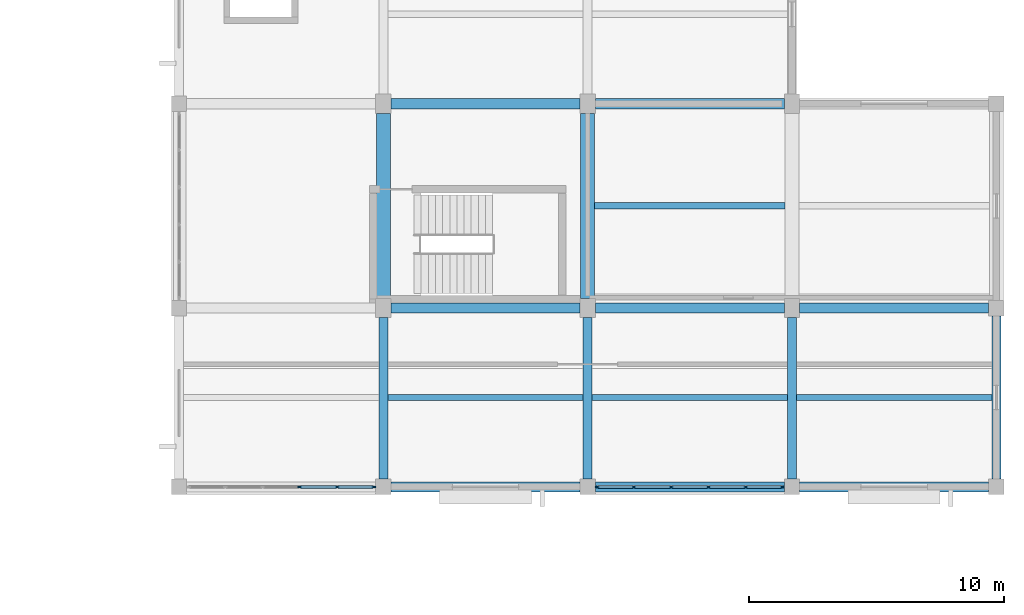
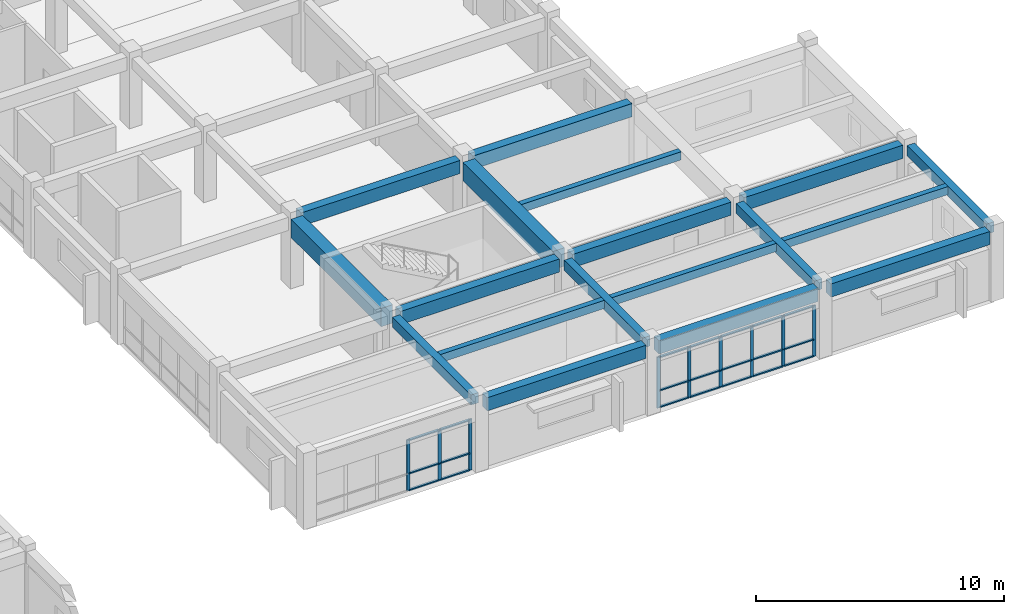
# One storey, part 15 of 33: 30 members, 18 beams, 2 elements without a shape of their own.
"""IFC4 building model written with IfcOpenShell, lengths in metres."""

import ifcopenshell
import ifcopenshell.guid

model = None  # the IFC model being written
_history = None  # IfcOwnerHistory: only IFC2X3 demands one
_inside = {}  # id of a spatial element -> (the spatial element, [elements in it])
_under = {}  # id of a project, library or spatial element -> (it, [spatial elements below it])
_declared = {}  # id of a project -> (the project, [libraries it declares])
_typed = {}  # id of a type object -> (the type object, [elements of that type])
_made_of = {}  # id of a material, layer set ... -> (it, [elements and type objects made of it])


def new_model(schema):
    """Start an empty IFC model of exactly this schema.

    Asked for "IFC4X3", IfcOpenShell would pick the latest addendum, in which some entities
    have other attributes; the version numbers below select the first issue.
    IFC2X3 requires an IfcOwnerHistory on every rooted entity: one is made here for all.
    """
    global model, _history
    if schema == "IFC4X3":
        model = ifcopenshell.file(schema_version=(4, 3, 0, 0))
    else:
        model = ifcopenshell.file(schema=schema)
    _inside.clear()
    _under.clear()
    _declared.clear()
    _typed.clear()
    _made_of.clear()
    _history = None
    if model.schema == "IFC2X3":
        org = make("IfcOrganization", Name="unknown")
        user = make(
            "IfcPersonAndOrganization",
            ThePerson=make("IfcPerson", FamilyName="unknown"),
            TheOrganization=org,
        )
        app = make(
            "IfcApplication",
            ApplicationDeveloper=org,
            Version="unknown",
            ApplicationFullName="unknown",
            ApplicationIdentifier="unknown",
        )
        _history = make(
            "IfcOwnerHistory",
            OwningUser=user,
            OwningApplication=app,
            ChangeAction="ADDED",
            CreationDate=0,
        )
    return model


def make(cls, **values):
    """One entity of the class cls with the attributes given. An attribute that is None is left unset."""
    return model.create_entity(
        cls, **{name: value for name, value in values.items() if value is not None}
    )


def rooted(cls, **values):
    """An entity with a GlobalId (a new one), such as an element, a storey or a relation."""
    return make(cls, GlobalId=ifcopenshell.guid.new(), OwnerHistory=_history, **values)


def si_unit(unit_type, name, prefix=None):
    """IfcSIUnit, for example si_unit("LENGTHUNIT", "METRE", prefix="MILLI")."""
    return make("IfcSIUnit", UnitType=unit_type, Prefix=prefix, Name=name)


def assignment(units):
    """IfcUnitAssignment: the units of a project."""
    return None if units is None else make("IfcUnitAssignment", Units=units)


def point(xyz):
    """IfcCartesianPoint."""
    return None if xyz is None else make("IfcCartesianPoint", Coordinates=xyz)


def direction(xyz):
    """IfcDirection."""
    return None if xyz is None else make("IfcDirection", DirectionRatios=xyz)


def frame(location, z_axis=None, x_axis=None):
    """IfcAxis2Placement3D, a coordinate frame: its origin and axes. An axis left out is left unset."""
    return make(
        "IfcAxis2Placement3D",
        Location=point(location),
        Axis=direction(z_axis),
        RefDirection=direction(x_axis),
    )


def frame_2d(location, x_axis=None):
    """IfcAxis2Placement2D, a coordinate frame in the plane: its origin and x axis."""
    return make(
        "IfcAxis2Placement2D", Location=point(location), RefDirection=direction(x_axis)
    )


def origin():
    """The frame at (0, 0, 0) with its axes left unset."""
    return frame((0.0, 0.0, 0.0))


def origin_2d():
    """The frame at (0, 0) in the plane with its x axis left unset."""
    return frame_2d((0.0, 0.0))


def place(relative_to, where):
    """IfcLocalPlacement: puts the frame where relative to a parent placement (None: the world)."""
    return make(
        "IfcLocalPlacement", PlacementRelTo=relative_to, RelativePlacement=where
    )


def context(
    kind, dimensions, precision=None, world=None, true_north=None, identifier=None
):
    """IfcGeometricRepresentationContext, for example the 3D "Model" context."""
    return make(
        "IfcGeometricRepresentationContext",
        ContextIdentifier=identifier,
        ContextType=kind,
        CoordinateSpaceDimension=dimensions,
        Precision=precision,
        WorldCoordinateSystem=world,
        TrueNorth=true_north,
    )


def subcontext(parent, identifier, kind, view, scale=None):
    """IfcGeometricRepresentationSubContext, for example "Body" below "Model"."""
    return make(
        "IfcGeometricRepresentationSubContext",
        ContextIdentifier=identifier,
        ContextType=kind,
        ParentContext=parent,
        TargetScale=scale,
        TargetView=view,
    )


def project(units=None, contexts=None):
    """IfcProject with its units and contexts."""
    return rooted(
        "IfcProject",
        Name="project",
        RepresentationContexts=contexts,
        UnitsInContext=assignment(units),
    )


def spatial(cls, under=None, at=None, **own):
    """A site, building, storey or space (cls), placed at a placement, below another one or the project."""
    s = rooted(cls, ObjectPlacement=at, **own)
    if under is not None:
        _under.setdefault(under.id(), (under, []))[1].append(s)
    return s


def profile(cls, at=None, kind="AREA", **sizes):
    """A parametric profile (cls). Its sizes go by their IFC names, for example OverallWidth=200.0."""
    return make(cls, ProfileType=kind, Position=at, **sizes)


def rectangle(**sizes):
    """IfcRectangleProfileDef."""
    return profile("IfcRectangleProfileDef", **sizes)


def extrude(swept, where, along, depth):
    """IfcExtrudedAreaSolid: the profile swept, set in the frame where, extruded along a direction by depth."""
    return make(
        "IfcExtrudedAreaSolid",
        SweptArea=swept,
        Position=where,
        ExtrudedDirection=direction(along),
        Depth=depth,
    )


def shape(context_of_items, identifier, shape_type, items):
    """IfcShapeRepresentation: the items that make up one representation, for example the "Body"."""
    return make(
        "IfcShapeRepresentation",
        ContextOfItems=context_of_items,
        RepresentationIdentifier=identifier,
        RepresentationType=shape_type,
        Items=items,
    )


def material(Name=None, Category=None):
    """IfcMaterial."""
    return make("IfcMaterial", Name=Name, Category=Category)


def layer(
    of_material, thickness, ventilated=None, Name=None, Category=None, Priority=None
):
    """IfcMaterialLayer: one layer of a wall or slab, of a material (None: an air gap)."""
    return make(
        "IfcMaterialLayer",
        Material=of_material,
        LayerThickness=thickness,
        IsVentilated=ventilated,
        Name=Name,
        Category=Category,
        Priority=Priority,
    )


def layer_set(layers, Name=None):
    """IfcMaterialLayerSet."""
    return make("IfcMaterialLayerSet", MaterialLayers=layers, LayerSetName=Name)


def material_profile(
    of_material, cross_section, Name=None, Category=None, Priority=None
):
    """IfcMaterialProfile: a cross section and its material."""
    return make(
        "IfcMaterialProfile",
        Name=Name,
        Material=of_material,
        Profile=cross_section,
        Priority=Priority,
        Category=Category,
    )


def profile_set(profiles, Name=None, composite=None):
    """IfcMaterialProfileSet."""
    return make(
        "IfcMaterialProfileSet",
        Name=Name,
        MaterialProfiles=profiles,
        CompositeProfile=composite,
    )


def made_of(thing, what):
    """Note that an element or type object is made of a material, layer set ...; save() writes the relation."""
    if what is not None:
        _made_of.setdefault(what.id(), (what, []))[1].append(thing)
    return thing


def type_object(cls, material=None, **own):
    """A type object (cls), such as IfcWallType, which elements share."""
    return made_of(rooted(cls, **own), material)


def element(
    cls,
    number,
    at=None,
    inside=None,
    cuts=None,
    type_object=None,
    material=None,
    context=None,
    identifier="Body",
    shape_type=None,
    held_by="IfcProductDefinitionShape",
    body=None,
    shapes=None,
    **own,
):
    """One element of the class cls, such as IfcWall. Its Tag is "e" and its number.

    at: its placement. inside: the storey or other place that contains it. cuts: it is an
    opening in that element (IfcRelVoidsElement). A single representation is given by context,
    identifier, shape_type and body (its items); several are given by shapes. held_by: the class
    of the entity that holds the representations. save() writes the other relations.
    """
    e = rooted(cls, Tag="e%d" % number, ObjectPlacement=at, **own)
    if body is not None:
        shapes = [shape(context, identifier, shape_type, body)]
    if shapes is not None:
        e.Representation = make(held_by, Representations=shapes)
    if inside is not None:
        _inside.setdefault(inside.id(), (inside, []))[1].append(e)
    if cuts is not None:
        rooted(
            "IfcRelVoidsElement", RelatingBuildingElement=cuts, RelatedOpeningElement=e
        )
    if type_object is not None:
        _typed.setdefault(type_object.id(), (type_object, []))[1].append(e)
    return made_of(e, material)


def aggregate(whole, parts):
    """IfcRelAggregates: a whole, such as a stair, and the parts it consists of."""
    return rooted("IfcRelAggregates", RelatingObject=whole, RelatedObjects=parts)


def save(model, path):
    """Write the relations noted so far, then the file.

    IfcRelAggregates (storeys below a building ...), IfcRelContainedInSpatialStructure (elements
    in a storey), IfcRelDefinesByType, IfcRelAssociatesMaterial and IfcRelDeclares: one each for
    every whole, place, type object, material and project.
    """
    for whole, parts in _under.values():
        aggregate(whole, parts)
    for where, things in _inside.values():
        rooted(
            "IfcRelContainedInSpatialStructure",
            RelatedElements=things,
            RelatingStructure=where,
        )
    for kind, things in _typed.values():
        rooted("IfcRelDefinesByType", RelatedObjects=things, RelatingType=kind)
    for what, things in _made_of.values():
        rooted("IfcRelAssociatesMaterial", RelatedObjects=things, RelatingMaterial=what)
    for by, libraries in _declared.values():
        rooted("IfcRelDeclares", RelatingContext=by, RelatedDefinitions=libraries)
    model.write(path)


model = new_model("IFC4")

# Units and contexts
model_context = context("Model", 3, precision=1e-05, world=origin(), true_north=direction((0.0, 1.0)))
body_context = subcontext(model_context, "Body", "Model", "MODEL_VIEW")
ifc_project = project(units=[si_unit("LENGTHUNIT", "METRE"), si_unit("AREAUNIT", "SQUARE_METRE"), si_unit("VOLUMEUNIT", "CUBIC_METRE"), si_unit("PLANEANGLEUNIT", "RADIAN"), si_unit("MASSUNIT", "GRAM", prefix="KILO")], contexts=[model_context])

# Site, building, storey
site_placement = place(None, origin())
site = spatial("IfcSite", under=ifc_project, at=site_placement, CompositionType="ELEMENT")
building_placement = place(site_placement, origin())
building = spatial("IfcBuilding", under=site, at=building_placement, Name="Naurynzar Civic Courthouse", CompositionType="ELEMENT")
storey_placement = place(building_placement, frame((0.0, 0.0, 22.050048828125)))
storey = spatial("IfcBuildingStorey", under=building, at=storey_placement, Name="L06", CompositionType="ELEMENT", Elevation=22.050048828125)

# Beams
ifc_material_1 = material(Name="Concrete C40/50", Category="concrete")
ifc_material_profile_1 = material_profile(ifc_material_1, rectangle(XDim=0.25, YDim=0.39990234375, at=origin_2d()), Name="RCB 250x400")
ifc_profile_set_1 = profile_set([ifc_material_profile_1], Name="Concrete C40/50")
beam_type_1 = type_object("IfcBeamType", Name="BM-JST-250x400", PredefinedType="JOIST", material=ifc_profile_set_1)
for number, where, z_axis, x_axis, name in (
    (1, (138.175048828125, 13.5, 3.22998046875), (1.0, 0.0, 0.0), (0.0, 1.0, 0.0), "V5 secondary rib 2797 L06"),
    (2, (146.175048828125, 13.5, 3.22998046875), (1.0, 0.0, 0.0), (0.0, 1.0, 0.0), "V5 secondary rib 2798 L06"),
    (3, (154.175048828125, 13.5, 3.22998046875), (1.0, 0.0, 0.0), (0.0, 1.0, 0.0), "V5 secondary rib 2799 L06"),
):
    element("IfcBeam", number, at=place(storey_placement, frame(where, z_axis=z_axis, x_axis=x_axis)), inside=storey, type_object=beam_type_1, Name=name, PredefinedType="JOIST", context=body_context, shape_type="SweptSolid", body=[
        extrude(rectangle(XDim=0.25, YDim=0.39990234375, at=origin_2d()), origin(), (0.0, 0.0, 1.0), 7.64990234375),
    ])
beam_1_placement = place(storey_placement, frame((146.27490234375, 21.0, 3.22998046875), z_axis=(1.0, 0.0, 0.0), x_axis=(0.0, 1.0, 0.0)))
element("IfcBeam", 4, at=beam_1_placement, inside=storey, type_object=beam_type_1, Name="V5 secondary rib 2800 L06", PredefinedType="JOIST", context=body_context, shape_type="SweptSolid", body=[
    extrude(rectangle(XDim=0.25, YDim=0.39990234375, at=origin_2d()), origin(), (0.0, 0.0, 1.0), 7.4501953125),
])
ifc_material_2 = material(Name="Concrete C40/50", Category="concrete")
ifc_material_profile_2 = material_profile(ifc_material_2, rectangle(XDim=0.35009765625, YDim=0.5, at=origin_2d()), Name="RCB 350x500")
ifc_profile_set_2 = profile_set([ifc_material_profile_2], Name="Concrete C40/50")
beam_type_2 = type_object("IfcBeamType", Name="BM-RC-350x500", PredefinedType="BEAM", material=ifc_profile_set_2)
for number, where, z_axis, x_axis, name in (
    (5, (138.0, 10.300048828125, 3.179931640625), (0.0, 1.0, 0.0), (-1.0, 0.0, 0.0), "V5 girder Y-2767 L06"),
    (6, (146.0, 10.300048828125, 3.179931640625), (0.0, 1.0, 0.0), (-1.0, 0.0, 0.0), "V5 girder Y-2775 L06"),
    (7, (154.0, 10.300048828125, 3.179931640625), (0.0, 1.0, 0.0), (-1.0, 0.0, 0.0), "V5 girder Y-2783 L06"),
):
    element("IfcBeam", number, at=place(storey_placement, frame(where, z_axis=z_axis, x_axis=x_axis)), inside=storey, type_object=beam_type_2, Name=name, PredefinedType="BEAM", context=body_context, shape_type="SweptSolid", body=[
        extrude(rectangle(XDim=0.35009765625, YDim=0.5, at=origin_2d()), origin(), (0.0, 0.0, 1.0), 6.324951171875),
    ])
beam_2_placement = place(storey_placement, frame((162.0, 10.300048828125, 3.179931640625), z_axis=(0.0, 1.0, 0.0), x_axis=(-1.0, 0.0, 0.0)))
element("IfcBeam", 8, at=beam_2_placement, inside=storey, type_object=beam_type_2, Name="V5 girder Y-2791 L06", PredefinedType="BEAM", context=body_context, shape_type="SweptSolid", body=[
    extrude(rectangle(XDim=0.35009765625, YDim=0.5, at=origin_2d()), origin(), (0.0, 0.0, 1.0), 6.39990234375),
])
ifc_material_3 = material(Name="Concrete C40/50", Category="concrete")
ifc_material_profile_3 = material_profile(ifc_material_3, rectangle(XDim=0.39990234375, YDim=0.64990234375, at=origin_2d()), Name="RCB 400x650")
ifc_profile_set_3 = profile_set([ifc_material_profile_3], Name="Concrete C40/50")
beam_type_3 = type_object("IfcBeamType", Name="BM-RC-400x650", PredefinedType="BEAM", material=ifc_profile_set_3)
for number, where, z_axis, x_axis, name in (
    (9, (138.300048828125, 10.0, 3.10498046875), (1.0, 0.0, 0.0), (0.0, 1.0, 0.0), "V5 beam X-2726 L06"),
    (10, (146.300048828125, 10.0, 3.10498046875), (1.0, 0.0, 0.0), (0.0, 1.0, 0.0), "V5 beam X-2727 L06"),
    (11, (154.300048828125, 10.0, 3.10498046875), (1.0, 0.0, 0.0), (0.0, 1.0, 0.0), "V5 beam X-2728 L06"),
    (12, (138.300048828125, 17.0, 3.10498046875), (1.0, 0.0, 0.0), (0.0, 1.0, 0.0), "V5 beam X-2730 L06"),
    (13, (146.300048828125, 17.0, 3.10498046875), (1.0, 0.0, 0.0), (0.0, 1.0, 0.0), "V5 beam X-2731 L06"),
    (14, (154.300048828125, 17.0, 3.10498046875), (1.0, 0.0, 0.0), (0.0, 1.0, 0.0), "V5 beam X-2732 L06"),
    (15, (138.300048828125, 25.0, 3.10498046875), (1.0, 0.0, 0.0), (0.0, 1.0, 0.0), "V5 beam X-2734 L06"),
    (16, (146.300048828125, 25.0, 3.10498046875), (1.0, 0.0, 0.0), (0.0, 1.0, 0.0), "V5 beam X-2735 L06"),
):
    element("IfcBeam", number, at=place(storey_placement, frame(where, z_axis=z_axis, x_axis=x_axis)), inside=storey, type_object=beam_type_3, Name=name, PredefinedType="BEAM", context=body_context, shape_type="SweptSolid", body=[
        extrude(rectangle(XDim=0.39990234375, YDim=0.64990234375, at=origin_2d()), origin(), (0.0, 0.0, 1.0), 7.39990234375),
    ])
ifc_material_4 = material(Name="Concrete C40/50", Category="concrete")
ifc_material_profile_4 = material_profile(ifc_material_4, rectangle(XDim=0.550048828125, YDim=0.89990234375, at=origin_2d()), Name="RCB 550x900")
ifc_profile_set_4 = profile_set([ifc_material_profile_4], Name="Concrete C40/50")
beam_type_4 = type_object("IfcBeamType", Name="BM-RC-550x900", PredefinedType="T_BEAM", material=ifc_profile_set_4)
for number, where, z_axis, x_axis, name in (
    (17, (138.0, 17.375, 2.97998046875), (0.0, 1.0, 0.0), (-1.0, 0.0, 0.0), "V5 girder Y-2768 L06"),
    (18, (146.0, 17.375, 2.97998046875), (0.0, 1.0, 0.0), (-1.0, 0.0, 0.0), "V5 girder Y-2776 L06"),
):
    element("IfcBeam", number, at=place(storey_placement, frame(where, z_axis=z_axis, x_axis=x_axis)), inside=storey, type_object=beam_type_4, Name=name, PredefinedType="T_BEAM", context=body_context, shape_type="SweptSolid", body=[
        extrude(rectangle(XDim=0.550048828125, YDim=0.89990234375, at=origin_2d()), origin(), (0.0, 0.0, 1.0), 7.25),
    ])

# Curtain wall, members
ifc_material_5 = material(Name="Aluminium 6063-T6", Category="aluminium")
ifc_layer = layer(ifc_material_5, 0.179931640625)
ifc_layer_set = layer_set([ifc_layer], Name="CW-UNIT-1500")
curtain_wall_type = type_object("IfcCurtainWallType", Name="CW-UNIT-1500", PredefinedType="NOTDEFINED", material=ifc_layer_set)
curtain_wall_1_placement = place(storey_placement, origin())
curtain_wall_1 = element("IfcCurtainWall", 19, at=curtain_wall_1_placement, inside=storey, type_object=curtain_wall_type, Name="V5 unitised curtain wall 110 L06", PredefinedType="NOTDEFINED")
ifc_material_6 = material(Name="Aluminium 6063-T6", Category="aluminium")
ifc_material_profile_5 = material_profile(ifc_material_6, rectangle(XDim=0.06005859375, YDim=0.14990234375, at=origin_2d()), Name="ALU MULLION 60x150")
ifc_profile_set_5 = profile_set([ifc_material_profile_5], Name="Aluminium 6063-T6")
member_type_1 = type_object("IfcMemberType", Name="CWM-60x150", PredefinedType="MULLION", material=ifc_profile_set_5)
member_1_placement = place(storey_placement, frame((153.6201171875, 10.0, 0.0), z_axis=(0.0, 0.0, 1.0), x_axis=(0.0, -1.0, 0.0)))
member_1 = element("IfcMember", 20, at=member_1_placement, type_object=member_type_1, Name="CW-01 mullion 1", PredefinedType="MULLION", context=body_context, shape_type="SweptSolid", body=[
    extrude(rectangle(XDim=0.06005859375, YDim=0.14990234375, at=origin_2d()), origin(), (0.0, 0.0, 1.0), 2.510009765625),
])
member_2_placement = place(storey_placement, frame((152.18994140625, 10.0, 0.0), z_axis=(0.0, 0.0, 1.0), x_axis=(0.0, -1.0, 0.0)))
member_2 = element("IfcMember", 21, at=member_2_placement, type_object=member_type_1, Name="CW-01 mullion 2", PredefinedType="MULLION", context=body_context, shape_type="SweptSolid", body=[
    extrude(rectangle(XDim=0.06005859375, YDim=0.14990234375, at=origin_2d()), origin(), (0.0, 0.0, 1.0), 2.510009765625),
])
member_3_placement = place(storey_placement, frame((150.72998046875, 10.0, 0.0), z_axis=(0.0, 0.0, 1.0), x_axis=(0.0, -1.0, 0.0)))
member_3 = element("IfcMember", 22, at=member_3_placement, type_object=member_type_1, Name="CW-01 mullion 3", PredefinedType="MULLION", context=body_context, shape_type="SweptSolid", body=[
    extrude(rectangle(XDim=0.06005859375, YDim=0.14990234375, at=origin_2d()), origin(), (0.0, 0.0, 1.0), 2.510009765625),
])
member_4_placement = place(storey_placement, frame((149.27001953125, 10.0, 0.0), z_axis=(0.0, 0.0, 1.0), x_axis=(0.0, -1.0, 0.0)))
member_4 = element("IfcMember", 23, at=member_4_placement, type_object=member_type_1, Name="CW-01 mullion 4", PredefinedType="MULLION", context=body_context, shape_type="SweptSolid", body=[
    extrude(rectangle(XDim=0.06005859375, YDim=0.14990234375, at=origin_2d()), origin(), (0.0, 0.0, 1.0), 2.510009765625),
])
member_5_placement = place(storey_placement, frame((147.81005859375, 10.0, 0.0), z_axis=(0.0, 0.0, 1.0), x_axis=(0.0, -1.0, 0.0)))
member_5 = element("IfcMember", 24, at=member_5_placement, type_object=member_type_1, Name="CW-01 mullion 5", PredefinedType="MULLION", context=body_context, shape_type="SweptSolid", body=[
    extrude(rectangle(XDim=0.06005859375, YDim=0.14990234375, at=origin_2d()), origin(), (0.0, 0.0, 1.0), 2.510009765625),
])
member_6_placement = place(storey_placement, frame((146.3798828125, 10.0, 0.0), z_axis=(0.0, 0.0, 1.0), x_axis=(0.0, -1.0, 0.0)))
member_6 = element("IfcMember", 25, at=member_6_placement, type_object=member_type_1, Name="CW-01 mullion 6", PredefinedType="MULLION", context=body_context, shape_type="SweptSolid", body=[
    extrude(rectangle(XDim=0.06005859375, YDim=0.14990234375, at=origin_2d()), origin(), (0.0, 0.0, 1.0), 2.510009765625),
])

curtain_wall_2_placement = place(storey_placement, origin())
curtain_wall_2 = element("IfcCurtainWall", 26, at=curtain_wall_2_placement, inside=storey, type_object=curtain_wall_type, Name="V5 unitised curtain wall 111 L06", PredefinedType="NOTDEFINED")
member_7_placement = place(storey_placement, frame((137.6201171875, 10.0, 0.0), z_axis=(0.0, 0.0, 1.0), x_axis=(0.0, -1.0, 0.0)))
member_7 = element("IfcMember", 27, at=member_7_placement, type_object=member_type_1, Name="CW-01 mullion 1", PredefinedType="MULLION", context=body_context, shape_type="SweptSolid", body=[
    extrude(rectangle(XDim=0.06005859375, YDim=0.14990234375, at=origin_2d()), origin(), (0.0, 0.0, 1.0), 2.510009765625),
])
member_8_placement = place(storey_placement, frame((136.18994140625, 10.0, 0.0), z_axis=(0.0, 0.0, 1.0), x_axis=(0.0, -1.0, 0.0)))
member_8 = element("IfcMember", 28, at=member_8_placement, type_object=member_type_1, Name="CW-01 mullion 2", PredefinedType="MULLION", context=body_context, shape_type="SweptSolid", body=[
    extrude(rectangle(XDim=0.06005859375, YDim=0.14990234375, at=origin_2d()), origin(), (0.0, 0.0, 1.0), 2.510009765625),
])
member_9_placement = place(storey_placement, frame((134.72998046875, 10.0, 0.0), z_axis=(0.0, 0.0, 1.0), x_axis=(0.0, -1.0, 0.0)))
member_9 = element("IfcMember", 29, at=member_9_placement, type_object=member_type_1, Name="CW-01 mullion 3", PredefinedType="MULLION", context=body_context, shape_type="SweptSolid", body=[
    extrude(rectangle(XDim=0.06005859375, YDim=0.14990234375, at=origin_2d()), origin(), (0.0, 0.0, 1.0), 2.510009765625),
])

# Member
ifc_material_7 = material(Name="Aluminium 6063-T6", Category="aluminium")
ifc_material_profile_6 = material_profile(ifc_material_7, rectangle(XDim=0.110107421875, YDim=0.06005859375, at=origin_2d()), Name="ALU TRANSOM 60x110")
ifc_profile_set_6 = profile_set([ifc_material_profile_6], Name="Aluminium 6063-T6")
member_type_2 = type_object("IfcMemberType", Name="CWT-60x110", PredefinedType="USERDEFINED", material=ifc_profile_set_6)
member_10_placement = place(storey_placement, frame((153.590087890625, 10.0, 0.030029296875), z_axis=(-1.0, 0.0, 0.0), x_axis=(0.0, -1.0, 0.0)))
member_10 = element("IfcMember", 30, at=member_10_placement, type_object=member_type_2, Name="CW-01 transom 1.1", ObjectType="TRANSOM", PredefinedType="USERDEFINED", context=body_context, shape_type="SweptSolid", body=[
    extrude(rectangle(XDim=0.110107421875, YDim=0.06005859375, at=origin_2d()), origin(), (0.0, 0.0, 1.0), 1.3701171875),
])

member_11_placement = place(storey_placement, frame((153.590087890625, 10.0, 0.849853515625), z_axis=(-1.0, 0.0, 0.0), x_axis=(0.0, -1.0, 0.0)))
member_11 = element("IfcMember", 31, at=member_11_placement, type_object=member_type_2, Name="CW-01 transom 1.2", ObjectType="TRANSOM", PredefinedType="USERDEFINED", context=body_context, shape_type="SweptSolid", body=[
    extrude(rectangle(XDim=0.110107421875, YDim=0.06005859375, at=origin_2d()), origin(), (0.0, 0.0, 1.0), 1.3701171875),
])

member_12_placement = place(storey_placement, frame((153.590087890625, 10.0, 2.47998046875), z_axis=(-1.0, 0.0, 0.0), x_axis=(0.0, -1.0, 0.0)))
member_12 = element("IfcMember", 32, at=member_12_placement, type_object=member_type_2, Name="CW-01 transom 1.3", ObjectType="TRANSOM", PredefinedType="USERDEFINED", context=body_context, shape_type="SweptSolid", body=[
    extrude(rectangle(XDim=0.110107421875, YDim=0.06005859375, at=origin_2d()), origin(), (0.0, 0.0, 1.0), 1.3701171875),
])

member_13_placement = place(storey_placement, frame((152.159912109375, 10.0, 0.030029296875), z_axis=(-1.0, 0.0, 0.0), x_axis=(0.0, -1.0, 0.0)))
member_13 = element("IfcMember", 33, at=member_13_placement, type_object=member_type_2, Name="CW-01 transom 2.1", ObjectType="TRANSOM", PredefinedType="USERDEFINED", context=body_context, shape_type="SweptSolid", body=[
    extrude(rectangle(XDim=0.110107421875, YDim=0.06005859375, at=origin_2d()), origin(), (0.0, 0.0, 1.0), 1.39990234375),
])

member_14_placement = place(storey_placement, frame((152.159912109375, 10.0, 0.849853515625), z_axis=(-1.0, 0.0, 0.0), x_axis=(0.0, -1.0, 0.0)))
member_14 = element("IfcMember", 34, at=member_14_placement, type_object=member_type_2, Name="CW-01 transom 2.2", ObjectType="TRANSOM", PredefinedType="USERDEFINED", context=body_context, shape_type="SweptSolid", body=[
    extrude(rectangle(XDim=0.110107421875, YDim=0.06005859375, at=origin_2d()), origin(), (0.0, 0.0, 1.0), 1.39990234375),
])

member_15_placement = place(storey_placement, frame((152.159912109375, 10.0, 2.47998046875), z_axis=(-1.0, 0.0, 0.0), x_axis=(0.0, -1.0, 0.0)))
member_15 = element("IfcMember", 35, at=member_15_placement, type_object=member_type_2, Name="CW-01 transom 2.3", ObjectType="TRANSOM", PredefinedType="USERDEFINED", context=body_context, shape_type="SweptSolid", body=[
    extrude(rectangle(XDim=0.110107421875, YDim=0.06005859375, at=origin_2d()), origin(), (0.0, 0.0, 1.0), 1.39990234375),
])

member_16_placement = place(storey_placement, frame((150.699951171875, 10.0, 0.030029296875), z_axis=(-1.0, 0.0, 0.0), x_axis=(0.0, -1.0, 0.0)))
member_16 = element("IfcMember", 36, at=member_16_placement, type_object=member_type_2, Name="CW-01 transom 3.1", ObjectType="TRANSOM", PredefinedType="USERDEFINED", context=body_context, shape_type="SweptSolid", body=[
    extrude(rectangle(XDim=0.110107421875, YDim=0.06005859375, at=origin_2d()), origin(), (0.0, 0.0, 1.0), 1.39990234375),
])

member_17_placement = place(storey_placement, frame((150.699951171875, 10.0, 0.849853515625), z_axis=(-1.0, 0.0, 0.0), x_axis=(0.0, -1.0, 0.0)))
member_17 = element("IfcMember", 37, at=member_17_placement, type_object=member_type_2, Name="CW-01 transom 3.2", ObjectType="TRANSOM", PredefinedType="USERDEFINED", context=body_context, shape_type="SweptSolid", body=[
    extrude(rectangle(XDim=0.110107421875, YDim=0.06005859375, at=origin_2d()), origin(), (0.0, 0.0, 1.0), 1.39990234375),
])

member_18_placement = place(storey_placement, frame((150.699951171875, 10.0, 2.47998046875), z_axis=(-1.0, 0.0, 0.0), x_axis=(0.0, -1.0, 0.0)))
member_18 = element("IfcMember", 38, at=member_18_placement, type_object=member_type_2, Name="CW-01 transom 3.3", ObjectType="TRANSOM", PredefinedType="USERDEFINED", context=body_context, shape_type="SweptSolid", body=[
    extrude(rectangle(XDim=0.110107421875, YDim=0.06005859375, at=origin_2d()), origin(), (0.0, 0.0, 1.0), 1.39990234375),
])

member_19_placement = place(storey_placement, frame((149.239990234375, 10.0, 0.030029296875), z_axis=(-1.0, 0.0, 0.0), x_axis=(0.0, -1.0, 0.0)))
member_19 = element("IfcMember", 39, at=member_19_placement, type_object=member_type_2, Name="CW-01 transom 4.1", ObjectType="TRANSOM", PredefinedType="USERDEFINED", context=body_context, shape_type="SweptSolid", body=[
    extrude(rectangle(XDim=0.110107421875, YDim=0.06005859375, at=origin_2d()), origin(), (0.0, 0.0, 1.0), 1.39990234375),
])

member_20_placement = place(storey_placement, frame((149.239990234375, 10.0, 0.849853515625), z_axis=(-1.0, 0.0, 0.0), x_axis=(0.0, -1.0, 0.0)))
member_20 = element("IfcMember", 40, at=member_20_placement, type_object=member_type_2, Name="CW-01 transom 4.2", ObjectType="TRANSOM", PredefinedType="USERDEFINED", context=body_context, shape_type="SweptSolid", body=[
    extrude(rectangle(XDim=0.110107421875, YDim=0.06005859375, at=origin_2d()), origin(), (0.0, 0.0, 1.0), 1.39990234375),
])

member_21_placement = place(storey_placement, frame((149.239990234375, 10.0, 2.47998046875), z_axis=(-1.0, 0.0, 0.0), x_axis=(0.0, -1.0, 0.0)))
member_21 = element("IfcMember", 41, at=member_21_placement, type_object=member_type_2, Name="CW-01 transom 4.3", ObjectType="TRANSOM", PredefinedType="USERDEFINED", context=body_context, shape_type="SweptSolid", body=[
    extrude(rectangle(XDim=0.110107421875, YDim=0.06005859375, at=origin_2d()), origin(), (0.0, 0.0, 1.0), 1.39990234375),
])

member_22_placement = place(storey_placement, frame((147.780029296875, 10.0, 0.030029296875), z_axis=(-1.0, 0.0, 0.0), x_axis=(0.0, -1.0, 0.0)))
member_22 = element("IfcMember", 42, at=member_22_placement, type_object=member_type_2, Name="CW-01 transom 5.1", ObjectType="TRANSOM", PredefinedType="USERDEFINED", context=body_context, shape_type="SweptSolid", body=[
    extrude(rectangle(XDim=0.110107421875, YDim=0.06005859375, at=origin_2d()), origin(), (0.0, 0.0, 1.0), 1.3701171875),
])

member_23_placement = place(storey_placement, frame((147.780029296875, 10.0, 0.849853515625), z_axis=(-1.0, 0.0, 0.0), x_axis=(0.0, -1.0, 0.0)))
member_23 = element("IfcMember", 43, at=member_23_placement, type_object=member_type_2, Name="CW-01 transom 5.2", ObjectType="TRANSOM", PredefinedType="USERDEFINED", context=body_context, shape_type="SweptSolid", body=[
    extrude(rectangle(XDim=0.110107421875, YDim=0.06005859375, at=origin_2d()), origin(), (0.0, 0.0, 1.0), 1.3701171875),
])

member_24_placement = place(storey_placement, frame((147.780029296875, 10.0, 2.47998046875), z_axis=(-1.0, 0.0, 0.0), x_axis=(0.0, -1.0, 0.0)))
member_24 = element("IfcMember", 44, at=member_24_placement, type_object=member_type_2, Name="CW-01 transom 5.3", ObjectType="TRANSOM", PredefinedType="USERDEFINED", context=body_context, shape_type="SweptSolid", body=[
    extrude(rectangle(XDim=0.110107421875, YDim=0.06005859375, at=origin_2d()), origin(), (0.0, 0.0, 1.0), 1.3701171875),
])

aggregate(curtain_wall_1, [member_1, member_2, member_3, member_4, member_5, member_6, member_10, member_11, member_12, member_13, member_14, member_15, member_16, member_17, member_18, member_19, member_20, member_21, member_22, member_23, member_24])

member_25_placement = place(storey_placement, frame((137.590087890625, 10.0, 0.030029296875), z_axis=(-1.0, 0.0, 0.0), x_axis=(0.0, -1.0, 0.0)))
member_25 = element("IfcMember", 45, at=member_25_placement, type_object=member_type_2, Name="CW-01 transom 1.1", ObjectType="TRANSOM", PredefinedType="USERDEFINED", context=body_context, shape_type="SweptSolid", body=[
    extrude(rectangle(XDim=0.110107421875, YDim=0.06005859375, at=origin_2d()), origin(), (0.0, 0.0, 1.0), 1.3701171875),
])

member_26_placement = place(storey_placement, frame((137.590087890625, 10.0, 0.849853515625), z_axis=(-1.0, 0.0, 0.0), x_axis=(0.0, -1.0, 0.0)))
member_26 = element("IfcMember", 46, at=member_26_placement, type_object=member_type_2, Name="CW-01 transom 1.2", ObjectType="TRANSOM", PredefinedType="USERDEFINED", context=body_context, shape_type="SweptSolid", body=[
    extrude(rectangle(XDim=0.110107421875, YDim=0.06005859375, at=origin_2d()), origin(), (0.0, 0.0, 1.0), 1.3701171875),
])

member_27_placement = place(storey_placement, frame((137.590087890625, 10.0, 2.47998046875), z_axis=(-1.0, 0.0, 0.0), x_axis=(0.0, -1.0, 0.0)))
member_27 = element("IfcMember", 47, at=member_27_placement, type_object=member_type_2, Name="CW-01 transom 1.3", ObjectType="TRANSOM", PredefinedType="USERDEFINED", context=body_context, shape_type="SweptSolid", body=[
    extrude(rectangle(XDim=0.110107421875, YDim=0.06005859375, at=origin_2d()), origin(), (0.0, 0.0, 1.0), 1.3701171875),
])

member_28_placement = place(storey_placement, frame((136.159912109375, 10.0, 0.030029296875), z_axis=(-1.0, 0.0, 0.0), x_axis=(0.0, -1.0, 0.0)))
member_28 = element("IfcMember", 48, at=member_28_placement, type_object=member_type_2, Name="CW-01 transom 2.1", ObjectType="TRANSOM", PredefinedType="USERDEFINED", context=body_context, shape_type="SweptSolid", body=[
    extrude(rectangle(XDim=0.110107421875, YDim=0.06005859375, at=origin_2d()), origin(), (0.0, 0.0, 1.0), 1.39990234375),
])

member_29_placement = place(storey_placement, frame((136.159912109375, 10.0, 0.849853515625), z_axis=(-1.0, 0.0, 0.0), x_axis=(0.0, -1.0, 0.0)))
member_29 = element("IfcMember", 49, at=member_29_placement, type_object=member_type_2, Name="CW-01 transom 2.2", ObjectType="TRANSOM", PredefinedType="USERDEFINED", context=body_context, shape_type="SweptSolid", body=[
    extrude(rectangle(XDim=0.110107421875, YDim=0.06005859375, at=origin_2d()), origin(), (0.0, 0.0, 1.0), 1.39990234375),
])

member_30_placement = place(storey_placement, frame((136.159912109375, 10.0, 2.47998046875), z_axis=(-1.0, 0.0, 0.0), x_axis=(0.0, -1.0, 0.0)))
member_30 = element("IfcMember", 50, at=member_30_placement, type_object=member_type_2, Name="CW-01 transom 2.3", ObjectType="TRANSOM", PredefinedType="USERDEFINED", context=body_context, shape_type="SweptSolid", body=[
    extrude(rectangle(XDim=0.110107421875, YDim=0.06005859375, at=origin_2d()), origin(), (0.0, 0.0, 1.0), 1.39990234375),
])

aggregate(curtain_wall_2, [member_7, member_8, member_9, member_25, member_26, member_27, member_28, member_29, member_30])

save(model, "model.ifc")
